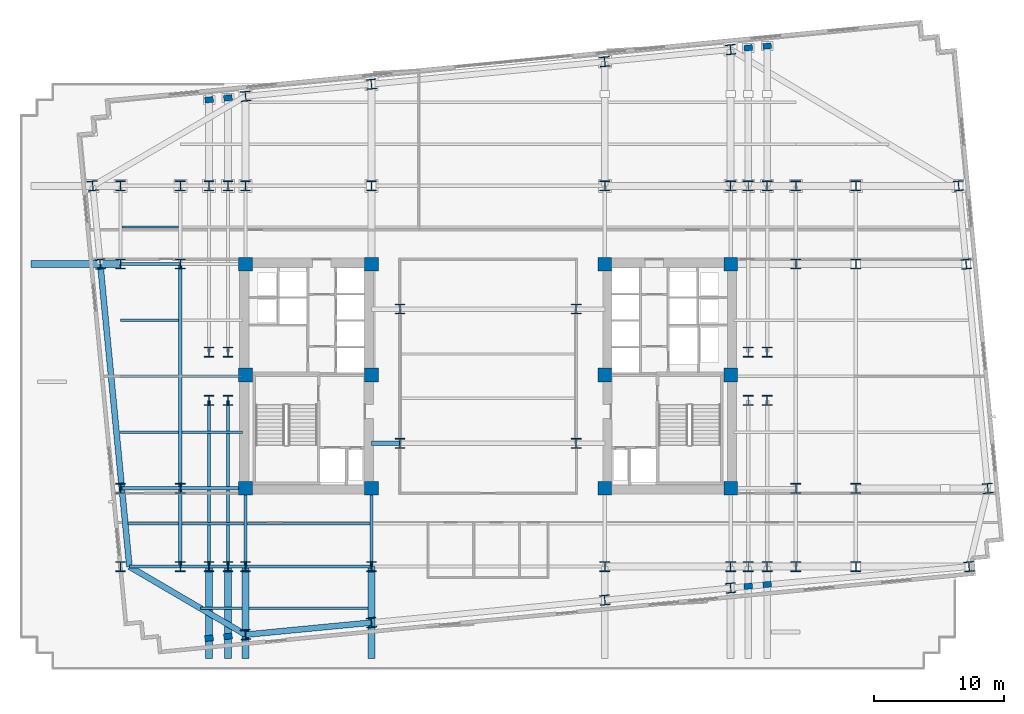
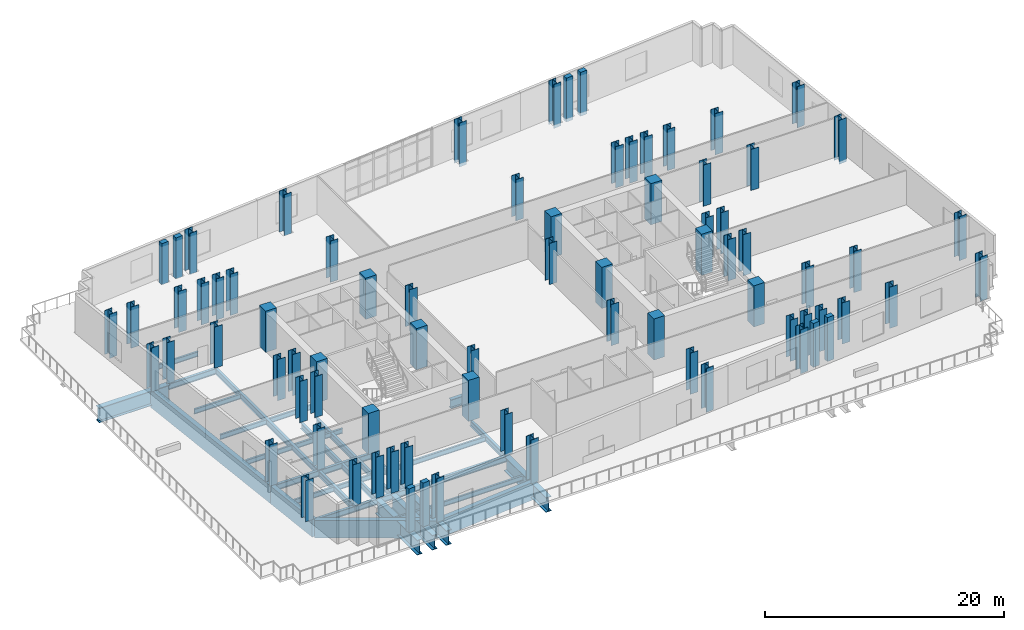
# One storey, part 1 of 14: 78 columns, 33 beams.
"""IFC4 building model written with IfcOpenShell, lengths in metres."""

from ifc_helpers import new_model, si_unit, direction, frame, origin, origin_2d, place, context, subcontext, project, spatial, rectangle, i_section, extrude, material, material_profile, profile_set, type_object, element, save


model = new_model("IFC4")

# Units and contexts
model_context = context("Model", 3, precision=1e-05, world=origin(), true_north=direction((0.0, 1.0)))
body_context = subcontext(model_context, "Body", "Model", "MODEL_VIEW")
ifc_project = project(units=[si_unit("LENGTHUNIT", "METRE"), si_unit("AREAUNIT", "SQUARE_METRE"), si_unit("VOLUMEUNIT", "CUBIC_METRE"), si_unit("PLANEANGLEUNIT", "RADIAN"), si_unit("MASSUNIT", "GRAM", prefix="KILO")], contexts=[model_context])

# Site, building, storey
site_placement = place(None, origin())
site = spatial("IfcSite", under=ifc_project, at=site_placement, CompositionType="ELEMENT")
building_placement = place(site_placement, origin())
building = spatial("IfcBuilding", under=site, at=building_placement, Name="Velakula Bourse", CompositionType="ELEMENT")
storey_placement = place(building_placement, frame((0.0, 0.0, 70.0)))
storey = spatial("IfcBuildingStorey", under=building, at=storey_placement, Name="L18", CompositionType="ELEMENT", Elevation=70.0)

# Columns
ifc_material_1 = material(Name="Concrete M70 (fck 70 MPa)", Category="concrete")
ifc_material_profile_1 = material_profile(ifc_material_1, rectangle(XDim=1.050048828125, YDim=1.050048828125, at=origin_2d()), Name="Concrete M70 (fck 70 MPa)")
ifc_profile_set_1 = profile_set([ifc_material_profile_1], Name="Concrete M70 (fck 70 MPa)")
column_type_1 = type_object("IfcColumnType", Name="COL-RC-1050", PredefinedType="COLUMN", material=ifc_profile_set_1)
for number, where, z_axis, x_axis, name in (
    (1, (-8.949951171875, -8.60009765625, 0.0), (0.0, 0.0, 1.0), (1.0, 0.0, 0.0), "L18 Core Boundary Column 01"),
    (2, (-8.949951171875, 0.10009765625, 0.0), (0.0, 0.0, 1.0), (1.0, 0.0, 0.0), "L18 Core Boundary Column 02"),
    (3, (-8.949951171875, 8.60009765625, 0.0), (0.0, 0.0, 1.0), (1.0, 0.0, 0.0), "L18 Core Boundary Column 03"),
    (4, (-18.60009765625, -8.60009765625, 0.0), (0.0, 0.0, 1.0), (1.0, 0.0, 0.0), "L18 Core Boundary Column 04"),
    (5, (-18.60009765625, 0.10009765625, 0.0), (0.0, 0.0, 1.0), (1.0, 0.0, 0.0), "L18 Core Boundary Column 05"),
    (6, (-18.60009765625, 8.60009765625, 0.0), (0.0, 0.0, 1.0), (1.0, 0.0, 0.0), "L18 Core Boundary Column 06"),
    (7, (8.949951171875, -8.60009765625, 0.0), (0.0, 0.0, 1.0), (1.0, 0.0, 0.0), "L18 Core Boundary Column 07"),
    (8, (8.949951171875, 0.10009765625, 0.0), (0.0, 0.0, 1.0), (1.0, 0.0, 0.0), "L18 Core Boundary Column 08"),
    (9, (8.949951171875, 8.60009765625, 0.0), (0.0, 0.0, 1.0), (1.0, 0.0, 0.0), "L18 Core Boundary Column 09"),
    (10, (18.60009765625, -8.60009765625, 0.0), (0.0, 0.0, 1.0), (1.0, 0.0, 0.0), "L18 Core Boundary Column 10"),
    (11, (18.60009765625, 0.10009765625, 0.0), (0.0, 0.0, 1.0), (1.0, 0.0, 0.0), "L18 Core Boundary Column 11"),
    (12, (18.60009765625, 8.60009765625, 0.0), (0.0, 0.0, 1.0), (1.0, 0.0, 0.0), "L18 Core Boundary Column 12"),
):
    element("IfcColumn", number, at=place(storey_placement, frame(where, z_axis=z_axis, x_axis=x_axis)), inside=storey, type_object=column_type_1, Name=name, PredefinedType="COLUMN", context=body_context, shape_type="SweptSolid", body=[
        extrude(rectangle(XDim=1.050048828125, YDim=1.050048828125, at=origin_2d()), origin(), (0.0, 0.0, 1.0), 4.199951171875),
    ])
ifc_material_2 = material(Name="Steel IS 2062 Grade 450 (E450)", Category="steel")
ifc_material_profile_2 = material_profile(ifc_material_2, i_section(OverallWidth=0.75, OverallDepth=0.75, WebThickness=0.030029296875, FlangeThickness=0.0439453125, at=origin_2d()), Name="Steel IS 2062 Grade 450 (E450)")
ifc_profile_set_2 = profile_set([ifc_material_profile_2], Name="Steel IS 2062 Grade 450 (E450)")
column_type_2 = type_object("IfcColumnType", Name="COL-STL-750", PredefinedType="COLUMN", material=ifc_profile_set_2)
for number, where, z_axis, x_axis, name in (
    (13, (-6.75, -5.14990234375, 0.0), (0.0, 0.0, 1.0), (1.0, 0.0, 0.0), "L18 Central Spine Column 01"),
    (14, (-6.75, 5.14990234375, 0.0), (0.0, 0.0, 1.0), (1.0, 0.0, 0.0), "L18 Central Spine Column 02"),
    (15, (6.75, -5.14990234375, 0.0), (0.0, 0.0, 1.0), (1.0, 0.0, 0.0), "L18 Central Spine Column 03"),
    (16, (6.75, 5.14990234375, 0.0), (0.0, 0.0, 1.0), (1.0, 0.0, 0.0), "L18 Central Spine Column 04"),
    (17, (-21.39990234375, -14.60009765625, 0.0), (0.0, 0.0, 1.0), (1.0, 0.0, 0.0), "L18 Tower Fulcrum Column 01"),
    (18, (-21.39990234375, 14.60009765625, 0.0), (0.0, 0.0, 1.0), (1.0, 0.0, 0.0), "L18 Tower Fulcrum Column 02"),
    (19, (-19.949951171875, -14.60009765625, 0.0), (0.0, 0.0, 1.0), (1.0, 0.0, 0.0), "L18 Tower Fulcrum Column 03"),
    (20, (-19.949951171875, 14.60009765625, 0.0), (0.0, 0.0, 1.0), (1.0, 0.0, 0.0), "L18 Tower Fulcrum Column 04"),
    (21, (-18.60009765625, -14.60009765625, 0.0), (0.0, 0.0, 1.0), (1.0, 0.0, 0.0), "L18 Tower Fulcrum Column 05"),
    (22, (-18.60009765625, 14.60009765625, 0.0), (0.0, 0.0, 1.0), (1.0, 0.0, 0.0), "L18 Tower Fulcrum Column 06"),
    (23, (-8.949951171875, -14.60009765625, 0.0), (0.0, 0.0, 1.0), (1.0, 0.0, 0.0), "L18 Tower Fulcrum Column 07"),
    (24, (-8.949951171875, 14.60009765625, 0.0), (0.0, 0.0, 1.0), (1.0, 0.0, 0.0), "L18 Tower Fulcrum Column 08"),
    (25, (8.949951171875, -14.60009765625, 0.0), (0.0, 0.0, 1.0), (1.0, 0.0, 0.0), "L18 Tower Fulcrum Column 09"),
    (26, (8.949951171875, 14.60009765625, 0.0), (0.0, 0.0, 1.0), (1.0, 0.0, 0.0), "L18 Tower Fulcrum Column 10"),
    (27, (18.60009765625, -14.60009765625, 0.0), (0.0, 0.0, 1.0), (1.0, 0.0, 0.0), "L18 Tower Fulcrum Column 11"),
    (28, (18.60009765625, 14.60009765625, 0.0), (0.0, 0.0, 1.0), (1.0, 0.0, 0.0), "L18 Tower Fulcrum Column 12"),
    (29, (19.949951171875, -14.60009765625, 0.0), (0.0, 0.0, 1.0), (1.0, 0.0, 0.0), "L18 Tower Fulcrum Column 13"),
    (30, (19.949951171875, 14.60009765625, 0.0), (0.0, 0.0, 1.0), (1.0, 0.0, 0.0), "L18 Tower Fulcrum Column 14"),
    (31, (21.39990234375, -14.60009765625, 0.0), (0.0, 0.0, 1.0), (1.0, 0.0, 0.0), "L18 Tower Fulcrum Column 15"),
    (32, (21.39990234375, 14.60009765625, 0.0), (0.0, 0.0, 1.0), (1.0, 0.0, 0.0), "L18 Tower Fulcrum Column 16"),
    (33, (-21.39990234375, -1.85009765625, 0.0), (0.0, 0.0, 1.0), (1.0, 0.0, 0.0), "L18 Tower Fulcrum Column 17"),
    (34, (-21.39990234375, 1.85009765625, 0.0), (0.0, 0.0, 1.0), (1.0, 0.0, 0.0), "L18 Tower Fulcrum Column 18"),
    (35, (-19.949951171875, -1.85009765625, 0.0), (0.0, 0.0, 1.0), (1.0, 0.0, 0.0), "L18 Tower Fulcrum Column 19"),
    (36, (-19.949951171875, 1.85009765625, 0.0), (0.0, 0.0, 1.0), (1.0, 0.0, 0.0), "L18 Tower Fulcrum Column 20"),
    (37, (19.949951171875, -1.85009765625, 0.0), (0.0, 0.0, 1.0), (1.0, 0.0, 0.0), "L18 Tower Fulcrum Column 21"),
    (38, (19.949951171875, 1.85009765625, 0.0), (0.0, 0.0, 1.0), (1.0, 0.0, 0.0), "L18 Tower Fulcrum Column 22"),
    (39, (21.39990234375, -1.85009765625, 0.0), (0.0, 0.0, 1.0), (1.0, 0.0, 0.0), "L18 Tower Fulcrum Column 23"),
    (40, (21.39990234375, 1.85009765625, 0.0), (0.0, 0.0, 1.0), (1.0, 0.0, 0.0), "L18 Tower Fulcrum Column 24"),
    (41, (-23.60009765625, -14.60009765625, 0.0), (0.0, 0.0, 1.0), (1.0, 0.0, 0.0), "L18 Mid-Wing Plumb Column 01"),
    (42, (-23.60009765625, -8.60009765625, 0.0), (0.0, 0.0, 1.0), (1.0, 0.0, 0.0), "L18 Mid-Wing Plumb Column 02"),
    (43, (-23.60009765625, 8.60009765625, 0.0), (0.0, 0.0, 1.0), (1.0, 0.0, 0.0), "L18 Mid-Wing Plumb Column 03"),
    (44, (-23.60009765625, 14.60009765625, 0.0), (0.0, 0.0, 1.0), (1.0, 0.0, 0.0), "L18 Mid-Wing Plumb Column 04"),
    (45, (23.60009765625, -14.60009765625, 0.0), (0.0, 0.0, 1.0), (1.0, 0.0, 0.0), "L18 Mid-Wing Plumb Column 05"),
    (46, (23.60009765625, -8.60009765625, 0.0), (0.0, 0.0, 1.0), (1.0, 0.0, 0.0), "L18 Mid-Wing Plumb Column 06"),
    (47, (23.60009765625, 8.60009765625, 0.0), (0.0, 0.0, 1.0), (1.0, 0.0, 0.0), "L18 Mid-Wing Plumb Column 07"),
    (48, (23.60009765625, 14.60009765625, 0.0), (0.0, 0.0, 1.0), (1.0, 0.0, 0.0), "L18 Mid-Wing Plumb Column 08"),
    (49, (-28.199951171875, -14.60009765625, 0.0), (0.0, 0.0, 1.0), (1.0, 0.0, 0.0), "L18 Lower Wing Column 01"),
    (50, (-28.199951171875, -8.60009765625, 0.0), (0.0, 0.0, 1.0), (1.0, 0.0, 0.0), "L18 Lower Wing Column 02"),
    (51, (-28.199951171875, 8.60009765625, 0.0), (0.0, 0.0, 1.0), (1.0, 0.0, 0.0), "L18 Lower Wing Column 03"),
    (52, (-28.199951171875, 14.60009765625, 0.0), (0.0, 0.0, 1.0), (1.0, 0.0, 0.0), "L18 Lower Wing Column 04"),
    (53, (28.199951171875, -14.60009765625, 0.0), (0.0, 0.0, 1.0), (1.0, 0.0, 0.0), "L18 Lower Wing Column 05"),
    (54, (28.199951171875, -8.60009765625, 0.0), (0.0, 0.0, 1.0), (1.0, 0.0, 0.0), "L18 Lower Wing Column 06"),
    (55, (28.199951171875, 8.60009765625, 0.0), (0.0, 0.0, 1.0), (1.0, 0.0, 0.0), "L18 Lower Wing Column 07"),
    (56, (28.199951171875, 14.60009765625, 0.0), (0.0, 0.0, 1.0), (1.0, 0.0, 0.0), "L18 Lower Wing Column 08"),
):
    element("IfcColumn", number, at=place(storey_placement, frame(where, z_axis=z_axis, x_axis=x_axis)), inside=storey, type_object=column_type_2, Name=name, PredefinedType="COLUMN", context=body_context, shape_type="SweptSolid", body=[
        extrude(i_section(OverallWidth=0.75, OverallDepth=0.75, WebThickness=0.030029296875, FlangeThickness=0.0439453125, at=origin_2d()), origin(), (0.0, 0.0, 1.0), 4.199951171875),
    ])
for number, where, z_axis, x_axis, name in (
    (57, (-18.60009765625, -19.8212890625, -0.280029296875), (0.0, 0.0, 1.0), (0.995396198367, 0.09584575252, 0.0), "L18 Block B2 Perimeter Column S1"),
    (58, (-8.949951171875, -18.89208984375, -0.280029296875), (0.0, 0.0, 1.0), (0.995396198367, 0.09584575252, 0.0), "L18 Block B2 Perimeter Column S2"),
    (59, (8.949951171875, -17.16845703125, -0.280029296875), (0.0, 0.0, 1.0), (0.995396198367, 0.09584575252, 0.0), "L18 Block B2 Perimeter Column S3"),
    (60, (18.60009765625, -16.2392578125, -0.280029296875), (0.0, 0.0, 1.0), (0.995396198367, 0.09584575252, 0.0), "L18 Block B2 Perimeter Column S4"),
):
    element("IfcColumn", number, at=place(storey_placement, frame(where, z_axis=z_axis, x_axis=x_axis)), inside=storey, type_object=column_type_2, Name=name, PredefinedType="COLUMN", context=body_context, shape_type="SweptSolid", body=[
        extrude(i_section(OverallWidth=0.75, OverallDepth=0.75, WebThickness=0.030029296875, FlangeThickness=0.0439453125, at=origin_2d()), origin(), (0.0, 0.0, 1.0), 4.47998046875),
    ])
for number, where, z_axis, x_axis, name in (
    (61, (-18.60009765625, 21.468994140625, 0.0), (0.0, 0.0, 1.0), (0.995396198367, 0.09584575252, 0.0), "L18 Block B2 Perimeter Column N1"),
    (62, (-8.949951171875, 22.398193359375, 0.0), (0.0, 0.0, 1.0), (0.995396198367, 0.09584575252, 0.0), "L18 Block B2 Perimeter Column N2"),
):
    element("IfcColumn", number, at=place(storey_placement, frame(where, z_axis=z_axis, x_axis=x_axis)), inside=storey, type_object=column_type_2, Name=name, PredefinedType="COLUMN", context=body_context, shape_type="SweptSolid", body=[
        extrude(i_section(OverallWidth=0.75, OverallDepth=0.75, WebThickness=0.030029296875, FlangeThickness=0.0439453125, at=origin_2d()), origin(), (0.0, 0.0, 1.0), 4.199951171875),
    ])
for number, where, z_axis, x_axis, name in (
    (63, (8.949951171875, 24.12158203125, -0.280029296875), (0.0, 0.0, 1.0), (0.995396198367, 0.09584575252, 0.0), "L18 Block B2 Perimeter Column N3"),
    (64, (18.60009765625, 25.05078125, -0.280029296875), (0.0, 0.0, 1.0), (0.995396198367, 0.09584575252, 0.0), "L18 Block B2 Perimeter Column N4"),
    (65, (-29.7421875, 8.60009765625, -0.280029296875), (0.0, 0.0, 1.0), (0.995396198367, 0.09584575252, 0.0), "L18 Block B2 Perimeter Column W3"),
    (66, (-30.31982421875, 14.60009765625, -0.280029296875), (0.0, 0.0, 1.0), (0.995396198367, 0.09584575252, 0.0), "L18 Block B2 Perimeter Column W4"),
    (67, (36.88818359375, -14.60009765625, -0.280029296875), (0.0, 0.0, 1.0), (0.995396198367, 0.09584575252, 0.0), "L18 Block B2 Perimeter Column E1"),
    (68, (38.31982421875, -8.60009765625, -0.280029296875), (0.0, 0.0, 1.0), (0.995396198367, 0.09584575252, 0.0), "L18 Block B2 Perimeter Column E2"),
    (69, (36.66357421875, 8.60009765625, -0.280029296875), (0.0, 0.0, 1.0), (0.995396198367, 0.09584575252, 0.0), "L18 Block B2 Perimeter Column E3"),
):
    element("IfcColumn", number, at=place(storey_placement, frame(where, z_axis=z_axis, x_axis=x_axis)), inside=storey, type_object=column_type_2, Name=name, PredefinedType="COLUMN", context=body_context, shape_type="SweptSolid", body=[
        extrude(i_section(OverallWidth=0.75, OverallDepth=0.75, WebThickness=0.030029296875, FlangeThickness=0.0439453125, at=origin_2d()), origin(), (0.0, 0.0, 1.0), 4.47998046875),
    ])
column_placement = place(storey_placement, frame((36.0859375, 14.60009765625, 0.0), z_axis=(0.0, 0.0, 1.0), x_axis=(0.995396198367, 0.09584575252, 0.0)))
element("IfcColumn", 70, at=column_placement, inside=storey, type_object=column_type_2, Name="L18 Block B2 Perimeter Column E4", PredefinedType="COLUMN", context=body_context, shape_type="SweptSolid", body=[
    extrude(i_section(OverallWidth=0.75, OverallDepth=0.75, WebThickness=0.030029296875, FlangeThickness=0.0439453125, at=origin_2d()), origin(), (0.0, 0.0, 1.0), 4.199951171875),
])
ifc_material_3 = material(Name="Precast concrete M45 (fck 45 MPa)", Category="concrete")
ifc_material_profile_3 = material_profile(ifc_material_3, rectangle(XDim=0.64990234375, YDim=0.449951171875, at=origin_2d()), Name="Precast concrete M45 (fck 45 MPa)")
ifc_profile_set_3 = profile_set([ifc_material_profile_3], Name="Precast concrete M45 (fck 45 MPa)")
column_type_3 = type_object("IfcColumnType", Name="PIL-BRICK-650", PredefinedType="PILASTER", material=ifc_profile_set_3)
for number, where, z_axis, x_axis, name in (
    (71, (-21.39990234375, -20.0908203125, -0.280029296875), (0.0, 0.0, 1.0), (0.995396198367, 0.09584575252, 0.0), "L18 Brick Pier Pilaster 01"),
    (72, (-19.949951171875, -19.951171875, -0.280029296875), (0.0, 0.0, 1.0), (0.995396198367, 0.09584575252, 0.0), "L18 Brick Pier Pilaster 02"),
    (73, (19.949951171875, -16.109130859375, -0.280029296875), (0.0, 0.0, 1.0), (0.995396198367, 0.09584575252, 0.0), "L18 Brick Pier Pilaster 03"),
    (74, (21.39990234375, -15.969482421875, -0.280029296875), (0.0, 0.0, 1.0), (0.995396198367, 0.09584575252, 0.0), "L18 Brick Pier Pilaster 04"),
):
    element("IfcColumn", number, at=place(storey_placement, frame(where, z_axis=z_axis, x_axis=x_axis)), inside=storey, type_object=column_type_3, Name=name, PredefinedType="PILASTER", context=body_context, shape_type="SweptSolid", body=[
        extrude(rectangle(XDim=0.64990234375, YDim=0.449951171875, at=origin_2d()), origin(), (0.0, 0.0, 1.0), 4.47998046875),
    ])
for number, where, z_axis, x_axis, name in (
    (75, (-21.39990234375, 21.19921875, 0.0), (0.0, 0.0, 1.0), (0.995396198367, 0.09584575252, 0.0), "L18 Brick Pier Pilaster 05"),
    (76, (-19.949951171875, 21.3388671875, 0.0), (0.0, 0.0, 1.0), (0.995396198367, 0.09584575252, 0.0), "L18 Brick Pier Pilaster 06"),
):
    element("IfcColumn", number, at=place(storey_placement, frame(where, z_axis=z_axis, x_axis=x_axis)), inside=storey, type_object=column_type_3, Name=name, PredefinedType="PILASTER", context=body_context, shape_type="SweptSolid", body=[
        extrude(rectangle(XDim=0.64990234375, YDim=0.449951171875, at=origin_2d()), origin(), (0.0, 0.0, 1.0), 4.199951171875),
    ])
for number, where, z_axis, x_axis, name in (
    (77, (19.949951171875, 25.180908203125, -0.280029296875), (0.0, 0.0, 1.0), (0.995396198367, 0.09584575252, 0.0), "L18 Brick Pier Pilaster 07"),
    (78, (21.39990234375, 25.320556640625, -0.280029296875), (0.0, 0.0, 1.0), (0.995396198367, 0.09584575252, 0.0), "L18 Brick Pier Pilaster 08"),
):
    element("IfcColumn", number, at=place(storey_placement, frame(where, z_axis=z_axis, x_axis=x_axis)), inside=storey, type_object=column_type_3, Name=name, PredefinedType="PILASTER", context=body_context, shape_type="SweptSolid", body=[
        extrude(rectangle(XDim=0.64990234375, YDim=0.449951171875, at=origin_2d()), origin(), (0.0, 0.0, 1.0), 4.47998046875),
    ])

# Beams
ifc_material_4 = material(Name="Steel IS 2062 Grade 350 (E350)", Category="steel")
ifc_material_profile_4 = material_profile(ifc_material_4, i_section(OverallWidth=0.25, OverallDepth=0.60009765625, WebThickness=0.01171875, FlangeThickness=0.023681640625, at=origin_2d()), Name="Steel IS 2062 Grade 350 (E350)")
ifc_profile_set_4 = profile_set([ifc_material_profile_4], Name="Steel IS 2062 Grade 350 (E350)")
beam_type_1 = type_object("IfcBeamType", Name="BM-GRD-600H", PredefinedType="BEAM", material=ifc_profile_set_4)
for number, where, z_axis, x_axis, name in (
    (79, (-18.60009765625, -14.60009765625, -0.580078125), (0.0, 1.0, 0.0), (-1.0, 0.0, 0.0), "L18 Fulcrum Grid Girder FLC-WS"),
    (80, (-8.949951171875, -14.60009765625, -0.580078125), (0.0, 1.0, 0.0), (-1.0, 0.0, 0.0), "L18 Fulcrum Grid Girder FLC-WCS"),
):
    element("IfcBeam", number, at=place(storey_placement, frame(where, z_axis=z_axis, x_axis=x_axis)), inside=storey, type_object=beam_type_1, Name=name, PredefinedType="BEAM", context=body_context, shape_type="SweptSolid", body=[
        extrude(i_section(OverallWidth=0.25, OverallDepth=0.60009765625, WebThickness=0.01171875, FlangeThickness=0.023681640625, at=origin_2d()), origin(), (0.0, 0.0, 1.0), 6.0),
    ])
beam_1_placement = place(storey_placement, frame((-18.60009765625, -14.60009765625, -0.580078125), z_axis=(1.0, 0.0, 0.0), x_axis=(0.0, 1.0, 0.0)))
element("IfcBeam", 81, at=beam_1_placement, inside=storey, type_object=beam_type_1, Name="L18 Fulcrum Grid Girder FLC-S1", PredefinedType="BEAM", context=body_context, shape_type="SweptSolid", body=[
    extrude(i_section(OverallWidth=0.25, OverallDepth=0.60009765625, WebThickness=0.01171875, FlangeThickness=0.023681640625, at=origin_2d()), origin(), (0.0, 0.0, 1.0), 9.650146484375),
])
for number, where, z_axis, x_axis, name in (
    (82, (-21.39990234375, -14.60009765625, -0.580078125), (0.0, 1.0, 0.0), (-1.0, 0.0, 0.0), "L18 Fulcrum Grid Girder FLC-PSW1"),
    (83, (-19.949951171875, -14.60009765625, -0.580078125), (0.0, 1.0, 0.0), (-1.0, 0.0, 0.0), "L18 Fulcrum Grid Girder FLC-PSW2"),
):
    element("IfcBeam", number, at=place(storey_placement, frame(where, z_axis=z_axis, x_axis=x_axis)), inside=storey, type_object=beam_type_1, Name=name, PredefinedType="BEAM", context=body_context, shape_type="SweptSolid", body=[
        extrude(i_section(OverallWidth=0.25, OverallDepth=0.60009765625, WebThickness=0.01171875, FlangeThickness=0.023681640625, at=origin_2d()), origin(), (0.0, 0.0, 1.0), 12.75),
    ])
for number, where, z_axis, x_axis, name in (
    (84, (-23.60009765625, -14.60009765625, -0.580078125), (1.0, 0.0, 0.0), (0.0, 1.0, 0.0), "L18 Fulcrum Grid Girder MWG-WS1"),
    (85, (-23.60009765625, -8.60009765625, -0.580078125), (1.0, 0.0, 0.0), (0.0, 1.0, 0.0), "L18 Fulcrum Grid Girder MWG-WS2"),
):
    element("IfcBeam", number, at=place(storey_placement, frame(where, z_axis=z_axis, x_axis=x_axis)), inside=storey, type_object=beam_type_1, Name=name, PredefinedType="BEAM", context=body_context, shape_type="SweptSolid", body=[
        extrude(i_section(OverallWidth=0.25, OverallDepth=0.60009765625, WebThickness=0.01171875, FlangeThickness=0.023681640625, at=origin_2d()), origin(), (0.0, 0.0, 1.0), 5.0),
    ])
beam_2_placement = place(storey_placement, frame((-23.60009765625, -14.60009765625, -0.580078125), z_axis=(0.0, 1.0, 0.0), x_axis=(-1.0, 0.0, 0.0)))
element("IfcBeam", 86, at=beam_2_placement, inside=storey, type_object=beam_type_1, Name="L18 Fulcrum Grid Girder MWG-WNS1", PredefinedType="BEAM", context=body_context, shape_type="SweptSolid", body=[
    extrude(i_section(OverallWidth=0.25, OverallDepth=0.60009765625, WebThickness=0.01171875, FlangeThickness=0.023681640625, at=origin_2d()), origin(), (0.0, 0.0, 1.0), 6.0),
])
beam_3_placement = place(storey_placement, frame((-23.60009765625, -8.60009765625, -0.580078125), z_axis=(0.0, 1.0, 0.0), x_axis=(-1.0, 0.0, 0.0)))
element("IfcBeam", 87, at=beam_3_placement, inside=storey, type_object=beam_type_1, Name="L18 Fulcrum Grid Girder MWG-WNS2", PredefinedType="BEAM", context=body_context, shape_type="SweptSolid", body=[
    extrude(i_section(OverallWidth=0.25, OverallDepth=0.60009765625, WebThickness=0.01171875, FlangeThickness=0.023681640625, at=origin_2d()), origin(), (0.0, 0.0, 1.0), 17.2001953125),
])
beam_4_placement = place(storey_placement, frame((-27.50830078125, -14.60009765625, -0.580078125), z_axis=(1.0, 0.0, 0.0), x_axis=(0.0, 1.0, 0.0)))
element("IfcBeam", 88, at=beam_4_placement, inside=storey, type_object=beam_type_1, Name="L18 Fulcrum Grid Girder WNG-WS1", PredefinedType="BEAM", context=body_context, shape_type="SweptSolid", body=[
    extrude(i_section(OverallWidth=0.25, OverallDepth=0.60009765625, WebThickness=0.01171875, FlangeThickness=0.023681640625, at=origin_2d()), origin(), (0.0, 0.0, 1.0), 3.908203125),
])
beam_5_placement = place(storey_placement, frame((-28.0859375, -8.60009765625, -0.580078125), z_axis=(1.0, 0.0, 0.0), x_axis=(0.0, 1.0, 0.0)))
element("IfcBeam", 89, at=beam_5_placement, inside=storey, type_object=beam_type_1, Name="L18 Fulcrum Grid Girder WNG-WS2", PredefinedType="BEAM", context=body_context, shape_type="SweptSolid", body=[
    extrude(i_section(OverallWidth=0.25, OverallDepth=0.60009765625, WebThickness=0.01171875, FlangeThickness=0.023681640625, at=origin_2d()), origin(), (0.0, 0.0, 1.0), 4.48583984375),
])
beam_6_placement = place(storey_placement, frame((-28.199951171875, 8.60009765625, -0.580078125), z_axis=(1.0, 0.0, 0.0), x_axis=(0.0, 1.0, 0.0)))
element("IfcBeam", 90, at=beam_6_placement, inside=storey, type_object=beam_type_1, Name="L18 Fulcrum Grid Girder WNG-WN1", PredefinedType="BEAM", context=body_context, shape_type="SweptSolid", body=[
    extrude(i_section(OverallWidth=0.25, OverallDepth=0.60009765625, WebThickness=0.01171875, FlangeThickness=0.023681640625, at=origin_2d()), origin(), (0.0, 0.0, 1.0), 4.599853515625),
])
ifc_material_profile_5 = material_profile(ifc_material_4, i_section(OverallWidth=0.35009765625, OverallDepth=0.89990234375, WebThickness=0.02001953125, FlangeThickness=0.031982421875, at=origin_2d()), Name="Steel IS 2062 Grade 350 (E350)")
ifc_profile_set_5 = profile_set([ifc_material_profile_5], Name="Steel IS 2062 Grade 350 (E350)")
beam_type_2 = type_object("IfcBeamType", Name="BM-LNK-900", PredefinedType="BEAM", material=ifc_profile_set_5)
beam_7_placement = place(storey_placement, frame((-8.949951171875, -5.14990234375, -0.72998046875), z_axis=(1.0, 0.0, 0.0), x_axis=(0.0, 1.0, 0.0)))
element("IfcBeam", 91, at=beam_7_placement, inside=storey, type_object=beam_type_2, Name="L18 Primary Backbone Girder LNK-S1", PredefinedType="BEAM", context=body_context, shape_type="SweptSolid", body=[
    extrude(i_section(OverallWidth=0.35009765625, OverallDepth=0.89990234375, WebThickness=0.02001953125, FlangeThickness=0.031982421875, at=origin_2d()), origin(), (0.0, 0.0, 1.0), 2.199951171875),
])
ifc_material_profile_6 = material_profile(ifc_material_4, i_section(OverallWidth=0.179931640625, OverallDepth=0.5, WebThickness=0.01025390625, FlangeThickness=0.01708984375, at=origin_2d()), Name="Steel IS 2062 Grade 350 (E350)")
ifc_profile_set_6 = profile_set([ifc_material_profile_6], Name="Steel IS 2062 Grade 350 (E350)")
beam_type_3 = type_object("IfcBeamType", Name="JST-TWR-500", PredefinedType="JOIST", material=ifc_profile_set_6)
beam_8_placement = place(storey_placement, frame((-22.048583984375, -17.800048828125, -0.530029296875), z_axis=(1.0, 0.0, 0.0), x_axis=(0.0, 1.0, 0.0)))
element("IfcBeam", 92, at=beam_8_placement, inside=storey, type_object=beam_type_3, Name="L18 Trading Floor Composite Joist 01", PredefinedType="JOIST", context=body_context, shape_type="SweptSolid", body=[
    extrude(i_section(OverallWidth=0.179931640625, OverallDepth=0.5, WebThickness=0.01025390625, FlangeThickness=0.01708984375, at=origin_2d()), origin(), (0.0, 0.0, 1.0), 3.1884765625),
])
beam_9_placement = place(storey_placement, frame((-18.340087890625, -17.800048828125, -0.530029296875), z_axis=(1.0, 0.0, 0.0), x_axis=(0.0, 1.0, 0.0)))
element("IfcBeam", 93, at=beam_9_placement, inside=storey, type_object=beam_type_3, Name="L18 Trading Floor Composite Joist 02", PredefinedType="JOIST", context=body_context, shape_type="SweptSolid", body=[
    extrude(i_section(OverallWidth=0.179931640625, OverallDepth=0.5, WebThickness=0.01025390625, FlangeThickness=0.01708984375, at=origin_2d()), origin(), (0.0, 0.0, 1.0), 9.130126953125),
])
beam_10_placement = place(storey_placement, frame((-27.599853515625, -11.300048828125, -0.530029296875), z_axis=(1.0, 0.0, 0.0), x_axis=(0.0, 1.0, 0.0)))
element("IfcBeam", 94, at=beam_10_placement, inside=storey, type_object=beam_type_3, Name="L18 Trading Floor Composite Joist 04", PredefinedType="JOIST", context=body_context, shape_type="SweptSolid", body=[
    extrude(i_section(OverallWidth=0.179931640625, OverallDepth=0.5, WebThickness=0.01025390625, FlangeThickness=0.01708984375, at=origin_2d()), origin(), (0.0, 0.0, 1.0), 3.874755859375),
])
beam_11_placement = place(storey_placement, frame((-23.47509765625, -11.300048828125, -0.530029296875), z_axis=(1.0, 0.0, 0.0), x_axis=(0.0, 1.0, 0.0)))
element("IfcBeam", 95, at=beam_11_placement, inside=storey, type_object=beam_type_3, Name="L18 Trading Floor Composite Joist 05", PredefinedType="JOIST", context=body_context, shape_type="SweptSolid", body=[
    extrude(i_section(OverallWidth=0.179931640625, OverallDepth=0.5, WebThickness=0.01025390625, FlangeThickness=0.01708984375, at=origin_2d()), origin(), (0.0, 0.0, 1.0), 4.75),
])
beam_12_placement = place(storey_placement, frame((-18.47509765625, -11.300048828125, -0.530029296875), z_axis=(1.0, 0.0, 0.0), x_axis=(0.0, 1.0, 0.0)))
element("IfcBeam", 96, at=beam_12_placement, inside=storey, type_object=beam_type_3, Name="L18 Trading Floor Composite Joist 06", PredefinedType="JOIST", context=body_context, shape_type="SweptSolid", body=[
    extrude(i_section(OverallWidth=0.179931640625, OverallDepth=0.5, WebThickness=0.01025390625, FlangeThickness=0.01708984375, at=origin_2d()), origin(), (0.0, 0.0, 1.0), 9.400146484375),
])
beam_13_placement = place(storey_placement, frame((-28.074951171875, 11.449951171875, -0.530029296875), z_axis=(1.0, 0.0, 0.0), x_axis=(0.0, 1.0, 0.0)))
element("IfcBeam", 97, at=beam_13_placement, inside=storey, type_object=beam_type_3, Name="L18 Trading Floor Composite Joist 12", PredefinedType="JOIST", context=body_context, shape_type="SweptSolid", body=[
    extrude(i_section(OverallWidth=0.179931640625, OverallDepth=0.5, WebThickness=0.01025390625, FlangeThickness=0.01708984375, at=origin_2d()), origin(), (0.0, 0.0, 1.0), 4.349853515625),
])
beam_14_placement = place(storey_placement, frame((-28.199951171875, -4.300048828125, -0.530029296875), z_axis=(1.0, 0.0, 0.0), x_axis=(0.0, 1.0, 0.0)))
element("IfcBeam", 98, at=beam_14_placement, inside=storey, type_object=beam_type_3, Name="L18 Trading Floor Composite Joist 33", PredefinedType="JOIST", context=body_context, shape_type="SweptSolid", body=[
    extrude(i_section(OverallWidth=0.179931640625, OverallDepth=0.5, WebThickness=0.01025390625, FlangeThickness=0.01708984375, at=origin_2d()), origin(), (0.0, 0.0, 1.0), 4.474853515625),
])
beam_15_placement = place(storey_placement, frame((-23.47509765625, -4.300048828125, -0.530029296875), z_axis=(1.0, 0.0, 0.0), x_axis=(0.0, 1.0, 0.0)))
element("IfcBeam", 99, at=beam_15_placement, inside=storey, type_object=beam_type_3, Name="L18 Trading Floor Composite Joist 34", PredefinedType="JOIST", context=body_context, shape_type="SweptSolid", body=[
    extrude(i_section(OverallWidth=0.179931640625, OverallDepth=0.5, WebThickness=0.01025390625, FlangeThickness=0.01708984375, at=origin_2d()), origin(), (0.0, 0.0, 1.0), 4.625),
])
beam_16_placement = place(storey_placement, frame((-28.199951171875, 0.0, -0.530029296875), z_axis=(1.0, 0.0, 0.0), x_axis=(0.0, 1.0, 0.0)))
element("IfcBeam", 100, at=beam_16_placement, inside=storey, type_object=beam_type_3, Name="L18 Trading Floor Composite Joist 38", PredefinedType="JOIST", context=body_context, shape_type="SweptSolid", body=[
    extrude(i_section(OverallWidth=0.179931640625, OverallDepth=0.5, WebThickness=0.01025390625, FlangeThickness=0.01708984375, at=origin_2d()), origin(), (0.0, 0.0, 1.0), 4.474853515625),
])
beam_17_placement = place(storey_placement, frame((-23.47509765625, 0.0, -0.530029296875), z_axis=(1.0, 0.0, 0.0), x_axis=(0.0, 1.0, 0.0)))
element("IfcBeam", 101, at=beam_17_placement, inside=storey, type_object=beam_type_3, Name="L18 Trading Floor Composite Joist 39", PredefinedType="JOIST", context=body_context, shape_type="SweptSolid", body=[
    extrude(i_section(OverallWidth=0.179931640625, OverallDepth=0.5, WebThickness=0.01025390625, FlangeThickness=0.01708984375, at=origin_2d()), origin(), (0.0, 0.0, 1.0), 4.625),
])
beam_18_placement = place(storey_placement, frame((-28.199951171875, 4.300048828125, -0.530029296875), z_axis=(1.0, 0.0, 0.0), x_axis=(0.0, 1.0, 0.0)))
element("IfcBeam", 102, at=beam_18_placement, inside=storey, type_object=beam_type_3, Name="L18 Trading Floor Composite Joist 43", PredefinedType="JOIST", context=body_context, shape_type="SweptSolid", body=[
    extrude(i_section(OverallWidth=0.179931640625, OverallDepth=0.5, WebThickness=0.01025390625, FlangeThickness=0.01708984375, at=origin_2d()), origin(), (0.0, 0.0, 1.0), 4.474853515625),
])
ifc_material_5 = material(Name="Concrete M50 (fck 50 MPa)", Category="concrete")
ifc_material_profile_7 = material_profile(ifc_material_5, rectangle(XDim=0.449951171875, YDim=1.800048828125, at=origin_2d()), Name="Concrete M50 (fck 50 MPa)")
ifc_profile_set_7 = profile_set([ifc_material_profile_7], Name="Concrete M50 (fck 50 MPa)")
beam_type_4 = type_object("IfcBeamType", Name="SPN-TRF-1800", PredefinedType="SPANDREL", material=ifc_profile_set_7)
beam_19_placement = place(storey_placement, frame((-18.60009765625, -19.8212890625, -1.179931640625), z_axis=(0.99539623971, 0.095845323155, 0.0), x_axis=(-0.095845323155, 0.99539623971, 0.0)))
element("IfcBeam", 103, at=beam_19_placement, inside=storey, type_object=beam_type_4, Name="L18 Brick-Faced Precast Spandrel S1-S2", PredefinedType="SPANDREL", context=body_context, shape_type="SweptSolid", body=[
    extrude(rectangle(XDim=0.449951171875, YDim=1.800048828125, at=origin_2d()), origin(), (0.0, 0.0, 1.0), 9.69482421875),
])
beam_20_placement = place(storey_placement, frame((-27.50830078125, -14.60009765625, -1.179931640625), z_axis=(-0.095829714309, 0.995397742541, 0.0), x_axis=(-0.995397742541, -0.095829714309, 0.0)))
element("IfcBeam", 104, at=beam_20_placement, inside=storey, type_object=beam_type_4, Name="L18 Brick-Faced Precast Spandrel W1-W2", PredefinedType="SPANDREL", context=body_context, shape_type="SweptSolid", body=[
    extrude(rectangle(XDim=0.449951171875, YDim=1.800048828125, at=origin_2d()), origin(), (0.0, 0.0, 1.0), 6.02783203125),
])
beam_21_placement = place(storey_placement, frame((-28.0859375, -8.60009765625, -1.179931640625), z_axis=(-0.095849167925, 0.995395869495, 0.0), x_axis=(-0.995395869495, -0.095849167925, 0.0)))
element("IfcBeam", 105, at=beam_21_placement, inside=storey, type_object=beam_type_4, Name="L18 Brick-Faced Precast Spandrel W2-W3", PredefinedType="SPANDREL", context=body_context, shape_type="SweptSolid", body=[
    extrude(rectangle(XDim=0.449951171875, YDim=1.800048828125, at=origin_2d()), origin(), (0.0, 0.0, 1.0), 17.27978515625),
])
beam_22_placement = place(storey_placement, frame((-27.50830078125, -14.60009765625, -1.179931640625), z_axis=(0.862734250413, -0.505657604674, 0.0), x_axis=(0.505657604674, 0.862734250413, 0.0)))
element("IfcBeam", 106, at=beam_22_placement, inside=storey, type_object=beam_type_4, Name="L18 Brick-Faced Precast Spandrel W1-S1", PredefinedType="SPANDREL", context=body_context, shape_type="SweptSolid", body=[
    extrude(rectangle(XDim=0.449951171875, YDim=1.800048828125, at=origin_2d()), origin(), (0.0, 0.0, 1.0), 10.325439453125),
])
ifc_material_profile_8 = material_profile(ifc_material_2, i_section(OverallWidth=0.52001953125, OverallDepth=1.5, WebThickness=0.030029296875, FlangeThickness=0.048095703125, at=origin_2d()), Name="Steel IS 2062 Grade 450 (E450)")
ifc_profile_set_8 = profile_set([ifc_material_profile_8], Name="Steel IS 2062 Grade 450 (E450)")
beam_type_5 = type_object("IfcBeamType", Name="TB-CANT-1500", PredefinedType="BEAM", material=ifc_profile_set_8)
for number, where, z_axis, x_axis, name in (
    (107, (-18.60009765625, -21.64990234375, -1.030029296875), (0.0, 1.0, 0.0), (-1.0, 0.0, 0.0), "L18 Block B2 Transfer Girder S1"),
    (108, (-8.949951171875, -21.64990234375, -1.030029296875), (0.0, 1.0, 0.0), (-1.0, 0.0, 0.0), "L18 Block B2 Transfer Girder S2"),
):
    element("IfcBeam", number, at=place(storey_placement, frame(where, z_axis=z_axis, x_axis=x_axis)), inside=storey, type_object=beam_type_5, Name=name, PredefinedType="BEAM", context=body_context, shape_type="SweptSolid", body=[
        extrude(i_section(OverallWidth=0.52001953125, OverallDepth=1.5, WebThickness=0.030029296875, FlangeThickness=0.048095703125, at=origin_2d()), origin(), (0.0, 0.0, 1.0), 7.0498046875),
    ])
beam_23_placement = place(storey_placement, frame((-35.050048828125, 8.60009765625, -1.030029296875), z_axis=(1.0, 0.0, 0.0), x_axis=(0.0, 1.0, 0.0)))
element("IfcBeam", 109, at=beam_23_placement, inside=storey, type_object=beam_type_5, Name="L18 Block B2 Transfer Girder W3", PredefinedType="BEAM", context=body_context, shape_type="SweptSolid", body=[
    extrude(i_section(OverallWidth=0.52001953125, OverallDepth=1.5, WebThickness=0.030029296875, FlangeThickness=0.048095703125, at=origin_2d()), origin(), (0.0, 0.0, 1.0), 6.85009765625),
])
for number, where, z_axis, x_axis, name in (
    (110, (-21.39990234375, -21.64990234375, -1.030029296875), (0.0, 1.0, 0.0), (-1.0, 0.0, 0.0), "L18 Block B2 Transfer Girder P01"),
    (111, (-19.949951171875, -21.64990234375, -1.030029296875), (0.0, 1.0, 0.0), (-1.0, 0.0, 0.0), "L18 Block B2 Transfer Girder P02"),
):
    element("IfcBeam", number, at=place(storey_placement, frame(where, z_axis=z_axis, x_axis=x_axis)), inside=storey, type_object=beam_type_5, Name=name, PredefinedType="BEAM", context=body_context, shape_type="SweptSolid", body=[
        extrude(i_section(OverallWidth=0.52001953125, OverallDepth=1.5, WebThickness=0.030029296875, FlangeThickness=0.048095703125, at=origin_2d()), origin(), (0.0, 0.0, 1.0), 7.0498046875),
    ])

save(model, "model.ifc")
